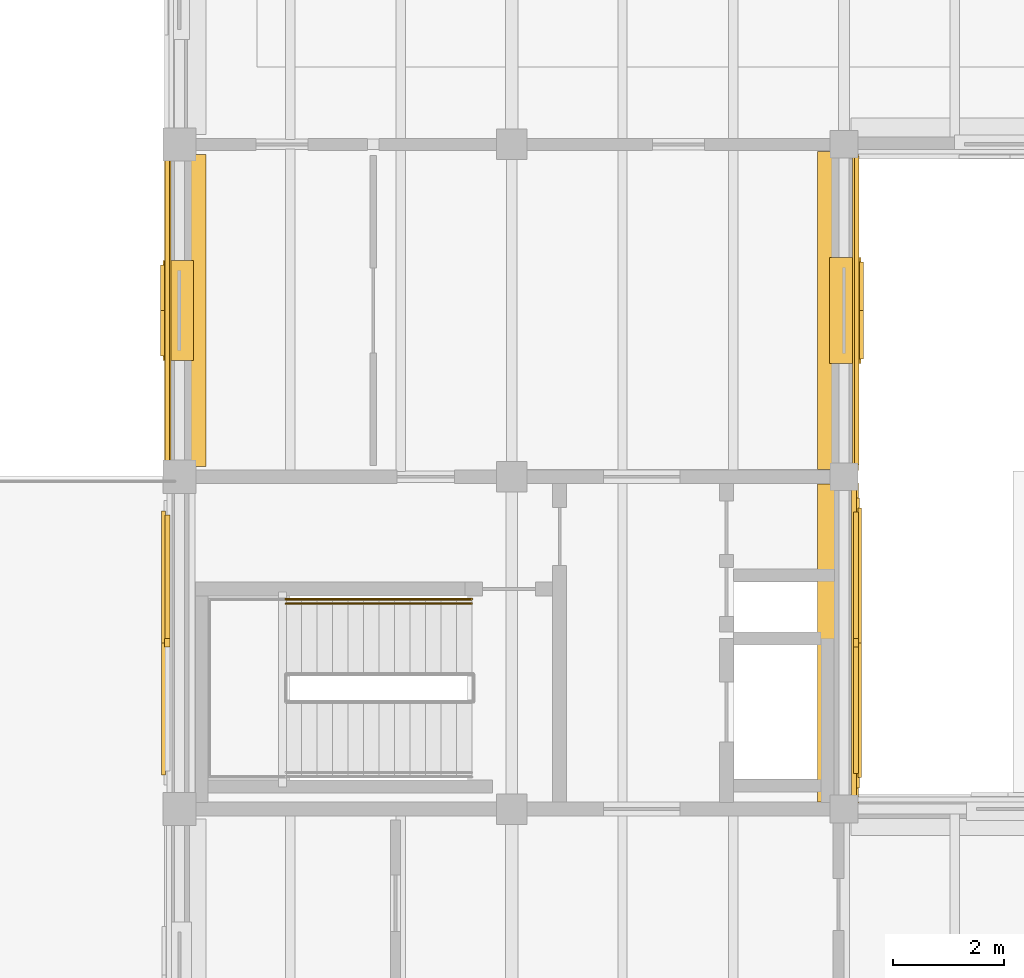
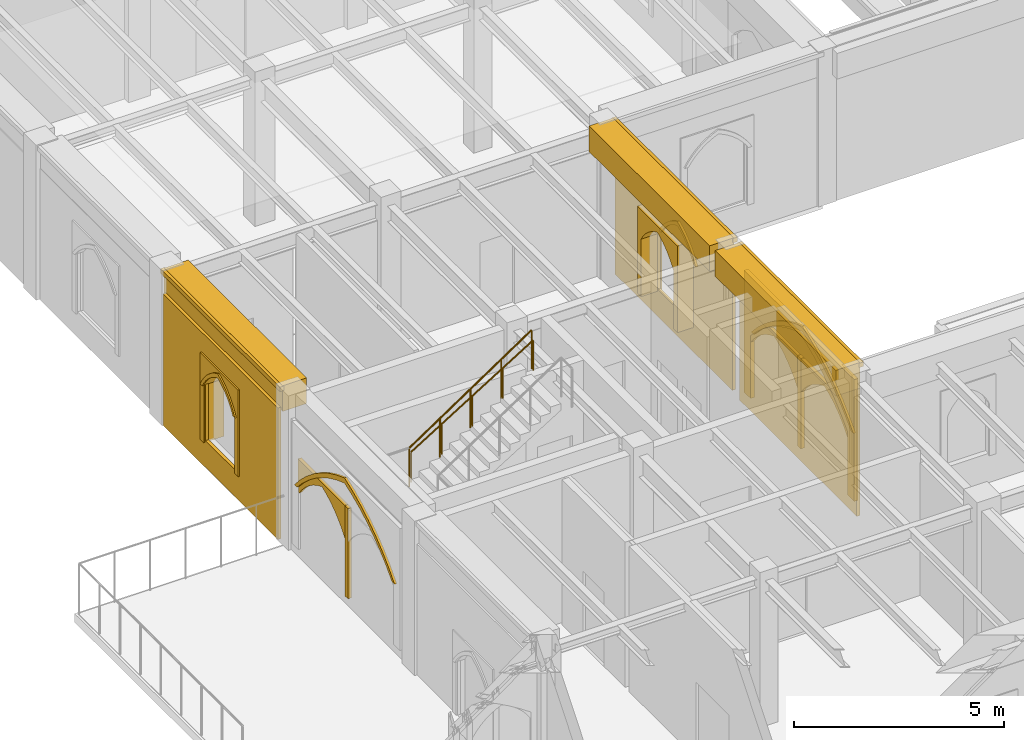
# One storey, part 112 of 127: 21 coverings, 2 railings.
"""IFC4 building model written with IfcOpenShell, lengths in metres."""

from ifc_helpers import new_model, si_unit, direction, frame, origin, origin_2d, place, context, subcontext, project, spatial, polyline, rectangle, circle, outline, extrude, material, type_object, element, save


model = new_model("IFC4")

# Units and contexts
model_context = context("Model", 3, precision=1e-05, world=origin(), true_north=direction((0.0, 1.0)))
body_context = subcontext(model_context, "Body", "Model", "MODEL_VIEW")
ifc_project = project(units=[si_unit("LENGTHUNIT", "METRE"), si_unit("AREAUNIT", "SQUARE_METRE"), si_unit("VOLUMEUNIT", "CUBIC_METRE"), si_unit("PLANEANGLEUNIT", "RADIAN"), si_unit("MASSUNIT", "GRAM", prefix="KILO")], contexts=[model_context])

# Site, building, storey
site_placement = place(None, origin())
site = spatial("IfcSite", under=ifc_project, at=site_placement, CompositionType="ELEMENT")
building_placement = place(site_placement, origin())
building = spatial("IfcBuilding", under=site, at=building_placement, Name="Cumevento Cable Car Station", CompositionType="ELEMENT")
storey_placement = place(building_placement, frame((0.0, 0.0, 4.5)))
storey = spatial("IfcBuildingStorey", under=building, at=storey_placement, Name="L02", CompositionType="ELEMENT", Elevation=4.5)

# Railings
ifc_material_1 = material(Name="Painted Galvanised Architectural Steel", Category="steel")
railing_type_1 = type_object("IfcRailingType", Name="Stair Guardrail GR-S115", PredefinedType="GUARDRAIL", material=ifc_material_1)
railing_1_placement = place(storey_placement, frame((119.919921875, 24.7900390625, 2.25)))
element("IfcRailing", 1, at=railing_1_placement, inside=storey, type_object=railing_type_1, Name="Stair Outer Guardrail ST-05-L02 F2", PredefinedType="GUARDRAIL", context=body_context, shape_type="SweptSolid", body=[
    extrude(circle(Radius=0.02392578125, at=origin_2d()), frame((0.0, 0.0, 1.1259765625), z_axis=(0.830915400975, 0.0, 0.556398774641), x_axis=(0.0, 1.0, 0.0)), (0.0, 0.0, 1.0), 4.0439453125),
    extrude(circle(Radius=0.02001953125, at=origin_2d()), origin(), (0.0, 0.0, 1.0), 1.101806640625),
    extrude(circle(Radius=0.02001953125, at=origin_2d()), frame((0.840087890625, 0.0, 0.5625)), (0.0, 0.0, 1.0), 1.101806640625),
    extrude(circle(Radius=0.02001953125, at=origin_2d()), frame((1.68017578125, 0.0, 1.125)), (0.0, 0.0, 1.0), 1.101806640625),
    extrude(circle(Radius=0.02001953125, at=origin_2d()), frame((2.52001953125, 0.0, 1.6875)), (0.0, 0.0, 1.0), 1.101806640625),
    extrude(circle(Radius=0.02001953125, at=origin_2d()), frame((3.360107421875, 0.0, 2.25)), (0.0, 0.0, 1.0), 1.101806640625),
])
ifc_material_2 = material(Name="Brushed Stainless Steel Handrail Tube", Category="steel")
railing_type_2 = type_object("IfcRailingType", Name="Stair Handrail HR-090", PredefinedType="HANDRAIL", material=ifc_material_2)
railing_2_placement = place(storey_placement, frame((119.919921875, 24.7099609375, 2.42626953125)))
element("IfcRailing", 2, at=railing_2_placement, inside=storey, type_object=railing_type_2, Name="Stair Pitch Handrail ST-05-L02 F2", PredefinedType="HANDRAIL", context=body_context, shape_type="SweptSolid", body=[
    extrude(circle(Radius=0.02099609375, at=origin_2d()), frame((0.0, 0.0, 0.87890625), z_axis=(0.850623216509, 0.0, 0.525775754039), x_axis=(0.0, 1.0, 0.0)), (0.0, 0.0, 1.0), 3.9501953125),
    extrude(circle(Radius=0.01611328125, at=origin_2d()), origin(), (0.0, 0.0, 1.0), 0.85791015625),
    extrude(circle(Radius=0.01611328125, at=origin_2d()), frame((0.840087890625, 0.0, 0.519287109375)), (0.0, 0.0, 1.0), 0.85791015625),
    extrude(circle(Radius=0.01611328125, at=origin_2d()), frame((1.68017578125, 0.0, 1.03857421875)), (0.0, 0.0, 1.0), 0.85791015625),
    extrude(circle(Radius=0.01611328125, at=origin_2d()), frame((2.52001953125, 0.0, 1.5576171875)), (0.0, 0.0, 1.0), 0.85791015625),
    extrude(circle(Radius=0.01611328125, at=origin_2d()), frame((3.360107421875, 0.0, 2.076904296875)), (0.0, 0.0, 1.0), 0.85791015625),
])

# Coverings
ifc_material_3 = material(Name="Gnaisse Facoidal Stone Ashlar 85 MPa", Category="masonry")
covering_type = type_object("IfcCoveringType", Name="Gnaisse Ashlar Cladding CV-CL01", PredefinedType="CLADDING", material=ifc_material_3)
covering_1_placement = place(storey_placement, frame((129.85009765625, 24.0, 3.737060546875), z_axis=(0.0, 0.0, 1.0), x_axis=(0.0, -1.0, 0.0)))
element("IfcCovering", 3, at=covering_1_placement, inside=storey, type_object=covering_type, Name="Gothic Stone Spandrel Stringcourse sc:0446", PredefinedType="CLADDING", context=body_context, shape_type="SweptSolid", body=[
    extrude(rectangle(XDim=5.739990234375, YDim=0.659912109375, at=origin_2d()), origin(), (0.0, 0.0, 1.0), 0.7470703125),
])
covering_2_placement = place(storey_placement, frame((130.20751953125, 24.0, 4.35400390625), z_axis=(0.0, 0.0, 1.0), x_axis=(0.0, -1.0, 0.0)))
element("IfcCovering", 4, at=covering_2_placement, inside=storey, type_object=covering_type, Name="Gothic Cornice Dripstone Lip sc:0446", PredefinedType="CLADDING", context=body_context, shape_type="SweptSolid", body=[
    extrude(rectangle(XDim=5.780029296875, YDim=0.114990234375, at=origin_2d()), origin(), (0.0, 0.0, 1.0), 0.1298828125),
])
covering_3_placement = place(storey_placement, frame((118.14990234375, 30.0, 3.718017578125), z_axis=(0.0, 0.0, 1.0), x_axis=(0.0, 1.0, 0.0)))
element("IfcCovering", 5, at=covering_3_placement, inside=storey, type_object=covering_type, Name="Gothic Stone Spandrel Stringcourse sc:0447", PredefinedType="CLADDING", context=body_context, shape_type="SweptSolid", body=[
    extrude(rectangle(XDim=5.639892578125, YDim=0.659912109375, at=origin_2d()), origin(), (0.0, 0.0, 1.0), 0.7470703125),
])
covering_4_placement = place(storey_placement, frame((117.79248046875, 30.0, 4.3349609375), z_axis=(0.0, 0.0, 1.0), x_axis=(0.0, 1.0, 0.0)))
element("IfcCovering", 6, at=covering_4_placement, inside=storey, type_object=covering_type, Name="Gothic Cornice Dripstone Lip sc:0447", PredefinedType="CLADDING", context=body_context, shape_type="SweptSolid", body=[
    extrude(rectangle(XDim=5.679931640625, YDim=0.114990234375, at=origin_2d()), origin(), (0.0, 0.0, 1.0), 0.1298828125),
])
covering_5_placement = place(storey_placement, frame((129.85009765625, 30.0, 3.718017578125), z_axis=(0.0, 0.0, 1.0), x_axis=(0.0, -1.0, 0.0)))
element("IfcCovering", 7, at=covering_5_placement, inside=storey, type_object=covering_type, Name="Gothic Stone Spandrel Stringcourse sc:0448", PredefinedType="CLADDING", context=body_context, shape_type="SweptSolid", body=[
    extrude(rectangle(XDim=5.739990234375, YDim=0.659912109375, at=origin_2d()), origin(), (0.0, 0.0, 1.0), 0.7470703125),
])
covering_6_placement = place(storey_placement, frame((130.20751953125, 30.0, 4.3349609375), z_axis=(0.0, 0.0, 1.0), x_axis=(0.0, -1.0, 0.0)))
element("IfcCovering", 8, at=covering_6_placement, inside=storey, type_object=covering_type, Name="Gothic Cornice Dripstone Lip sc:0448", PredefinedType="CLADDING", context=body_context, shape_type="SweptSolid", body=[
    extrude(rectangle(XDim=5.780029296875, YDim=0.114990234375, at=origin_2d()), origin(), (0.0, 0.0, 1.0), 0.1298828125),
])
covering_7_placement = place(storey_placement, frame((118.0, 21.47998046875, 2.126220703125), z_axis=(0.0, 0.0, 1.0), x_axis=(0.0, 1.0, 0.0)))
element("IfcCovering", 9, at=covering_7_placement, inside=storey, type_object=covering_type, Name="Gothic Pointed Archivolt Hood Moulding blind_ogival:0209", PredefinedType="CLADDING", context=body_context, shape_type="SweptSolid", body=[
    extrude(outline(polyline([(0.260009765625, 0.0), (0.529052734375, 0.2841796875), (0.81884765625, 0.547119140625), (1.128173828125, 0.786865234375), (1.454833984375, 1.00244140625), (1.797119140625, 1.192138671875), (2.15283203125, 1.355224609375), (2.52001953125, 1.49072265625), (2.88720703125, 1.355224609375), (3.242919921875, 1.192138671875), (3.585205078125, 1.00244140625), (3.911865234375, 0.786865234375), (4.22119140625, 0.547119140625), (4.510986328125, 0.2841796875), (4.780029296875, 0.0), (4.90087890625, 0.0), (4.622314453125, 0.31201171875), (4.319580078125, 0.60107421875), (3.9951171875, 0.865234375), (3.650634765625, 1.102783203125), (3.28857421875, 1.312255859375), (2.910888671875, 1.492431640625), (2.52001953125, 1.641845703125), (2.129150390625, 1.492431640625), (1.75146484375, 1.312255859375), (1.389404296875, 1.102783203125), (1.044921875, 0.865234375), (0.720458984375, 0.60107421875), (0.417724609375, 0.31201171875), (0.138916015625, 0.0), (0.260009765625, 0.0)])), frame((0.0, 0.319580078125, 0.0), z_axis=(0.0, -1.0, 0.0), x_axis=(1.0, 0.0, 0.0)), (0.0, 0.0, 1.0), 0.06689453125),
])
covering_8_placement = place(storey_placement, frame((118.0, 21.47998046875, 0.300048828125), z_axis=(0.0, 0.0, 1.0), x_axis=(0.0, 1.0, 0.0)))
element("IfcCovering", 10, at=covering_8_placement, inside=storey, type_object=covering_type, Name="Gothic Bifora Stone Colonnette blind_ogival:0209 #1", PredefinedType="CLADDING", context=body_context, shape_type="SweptSolid", body=[
    extrude(outline(polyline([(2.445068359375, -0.02001953125), (2.594970703125, -0.02001953125), (2.594970703125, 2.6015625), (2.445068359375, 2.6015625), (2.445068359375, -0.02001953125)])), frame((0.0, 0.265380859375, 0.0), z_axis=(0.0, -1.0, 0.0), x_axis=(1.0, 0.0, 0.0)), (0.0, 0.0, 1.0), 0.094970703125),
])
covering_9_placement = place(storey_placement, frame((118.0, 24.044921875, 1.9462890625), z_axis=(0.0, 0.0, 1.0), x_axis=(0.0, 1.0, 0.0)))
element("IfcCovering", 11, at=covering_9_placement, inside=storey, type_object=covering_type, Name="Gothic Ogival Pointed-Arch Stone Spandrel blind_ogival:0209:sub:1", PredefinedType="CLADDING", context=body_context, shape_type="SweptSolid", body=[
    extrude(outline(polyline([(-0.02001953125, 0.0), (-0.02001953125, 0.955078125), (2.264892578125, 0.955078125), (2.264892578125, 0.0), (2.205078125, 0.0), (2.06298828125, 0.182373046875), (1.9033203125, 0.349609375), (1.7275390625, 0.5), (1.537353515625, 0.6318359375), (1.335205078125, 0.743896484375), (1.12255859375, 0.835205078125), (0.909912109375, 0.743896484375), (0.707763671875, 0.6318359375), (0.517578125, 0.5), (0.341796875, 0.349609375), (0.18212890625, 0.182373046875), (0.0400390625, 0.0), (-0.02001953125, 0.0)])), frame((0.0, 0.261474609375, 0.0), z_axis=(0.0, -1.0, 0.0), x_axis=(1.0, 0.0, 0.0)), (0.0, 0.0, 1.0), 0.090087890625),
])
covering_10_placement = place(storey_placement, frame((130.0, 26.75, 0.0), z_axis=(0.0, 0.0, 1.0), x_axis=(0.0, -1.0, 0.0)))
element("IfcCovering", 12, at=covering_10_placement, inside=storey, type_object=covering_type, Name="Exterior Gnaisse Stone Wall Ashlar #210", PredefinedType="CLADDING", context=body_context, shape_type="SweptSolid", body=[
    extrude(outline(polyline([(-0.0400390625, -0.02001953125), (5.5400390625, -0.02001953125), (5.5400390625, 3.81689453125), (-0.0400390625, 3.81689453125), (-0.0400390625, -0.02001953125)])), frame((0.0, 0.222412109375, 0.0), z_axis=(0.0, -1.0, 0.0), x_axis=(1.0, 0.0, 0.0)), (0.0, 0.0, 1.0), 0.0849609375),
])
placement = place(storey_placement, frame((130.0, 26.570068359375, 0.300048828125), z_axis=(0.0, 0.0, 1.0), x_axis=(0.0, -1.0, 0.0)))
element("IfcCovering", 13, at=placement, inside=storey, type_object=covering_type, Name="Gothic Ogival Pointed-Arch Stone Spandrel blind_ogival:0210", PredefinedType="CLADDING", context=body_context, shape_type="SweptSolid", body=[
    extrude(outline(polyline([(-0.050048828125, 0.0), (-0.050048828125, 3.537109375), (5.18994140625, 3.537109375), (5.18994140625, 0.0), (4.8798828125, 0.0), (4.8798828125, 1.826416015625), (4.602783203125, 2.111083984375), (4.30517578125, 2.374267578125), (3.988525390625, 2.614013671875), (3.65478515625, 2.8291015625), (3.3056640625, 3.018798828125), (2.943359375, 3.181884765625), (2.570068359375, 3.31689453125), (2.196533203125, 3.181884765625), (1.834228515625, 3.018798828125), (1.485107421875, 2.8291015625), (1.1513671875, 2.614013671875), (0.834716796875, 2.374267578125), (0.537109375, 2.111083984375), (0.260009765625, 1.826416015625), (0.260009765625, 0.0), (-0.050048828125, 0.0)])), frame((0.0, 0.277587890625, 0.0), z_axis=(0.0, -1.0, 0.0), x_axis=(1.0, 0.0, 0.0)), (0.0, 0.0, 1.0), 0.110107421875),
])
covering_12_placement = place(storey_placement, frame((130.0, 26.570068359375, 2.126220703125), z_axis=(0.0, 0.0, 1.0), x_axis=(0.0, -1.0, 0.0)))
element("IfcCovering", 14, at=covering_12_placement, inside=storey, type_object=covering_type, Name="Gothic Pointed Archivolt Hood Moulding blind_ogival:0210", PredefinedType="CLADDING", context=body_context, shape_type="SweptSolid", body=[
    extrude(outline(polyline([(0.260009765625, 0.0), (0.537109375, 0.28466796875), (0.834716796875, 0.5478515625), (1.1513671875, 0.78759765625), (1.485107421875, 1.0029296875), (1.834228515625, 1.192626953125), (2.196533203125, 1.35546875), (2.570068359375, 1.49072265625), (2.943359375, 1.35546875), (3.3056640625, 1.192626953125), (3.65478515625, 1.0029296875), (3.988525390625, 0.78759765625), (4.30517578125, 0.5478515625), (4.602783203125, 0.28466796875), (4.8798828125, 0.0), (5.0009765625, 0.0), (4.714111328125, 0.3125), (4.40380859375, 0.601806640625), (4.07177734375, 0.865966796875), (3.72021484375, 1.103271484375), (3.35107421875, 1.312744140625), (2.967041015625, 1.49267578125), (2.570068359375, 1.641845703125), (2.1728515625, 1.49267578125), (1.788818359375, 1.312744140625), (1.419677734375, 1.103271484375), (1.068115234375, 0.865966796875), (0.736083984375, 0.601806640625), (0.42578125, 0.3125), (0.138916015625, 0.0), (0.260009765625, 0.0)])), frame((0.0, 0.319580078125, 0.0), z_axis=(0.0, -1.0, 0.0), x_axis=(1.0, 0.0, 0.0)), (0.0, 0.0, 1.0), 0.06689453125),
])
element("IfcCovering", 15, at=placement, inside=storey, type_object=covering_type, Name="Gothic Bifora Stone Colonnette blind_ogival:0210 #1", PredefinedType="CLADDING", context=body_context, shape_type="SweptSolid", body=[
    extrude(outline(polyline([(2.4951171875, -0.02001953125), (2.64501953125, -0.02001953125), (2.64501953125, 2.6015625), (2.4951171875, 2.6015625), (2.4951171875, -0.02001953125)])), frame((0.0, 0.265380859375, 0.0), z_axis=(0.0, -1.0, 0.0), x_axis=(1.0, 0.0, 0.0)), (0.0, 0.0, 1.0), 0.094970703125),
])
for number, where, z_axis, x_axis, name in (
    (16, (130.0, 26.340087890625, 1.9462890625), (0.0, 0.0, 1.0), (0.0, -1.0, 0.0), "Gothic Ogival Pointed-Arch Stone Spandrel blind_ogival:0210:sub:0"),
    (17, (130.0, 23.955078125, 1.9462890625), (0.0, 0.0, 1.0), (0.0, -1.0, 0.0), "Gothic Ogival Pointed-Arch Stone Spandrel blind_ogival:0210:sub:1"),
):
    element("IfcCovering", number, at=place(storey_placement, frame(where, z_axis=z_axis, x_axis=x_axis)), inside=storey, type_object=covering_type, Name=name, PredefinedType="CLADDING", context=body_context, shape_type="SweptSolid", body=[
        extrude(outline(polyline([(-0.02001953125, 0.0), (-0.02001953125, 0.955078125), (2.31494140625, 0.955078125), (2.31494140625, 0.0), (2.2548828125, 0.0), (2.10791015625, 0.182861328125), (1.943603515625, 0.35009765625), (1.763671875, 0.50048828125), (1.569580078125, 0.63232421875), (1.363525390625, 0.744140625), (1.1474609375, 0.835205078125), (0.931396484375, 0.744140625), (0.725341796875, 0.63232421875), (0.53125, 0.50048828125), (0.351318359375, 0.35009765625), (0.18701171875, 0.182861328125), (0.0400390625, 0.0), (-0.02001953125, 0.0)])), frame((0.0, 0.261474609375, 0.0), z_axis=(0.0, -1.0, 0.0), x_axis=(1.0, 0.0, 0.0)), (0.0, 0.0, 1.0), 0.090087890625),
    ])
covering_14_placement = place(storey_placement, frame((118.0, 27.300048828125, 0.0), z_axis=(0.0, 0.0, 1.0), x_axis=(0.0, 1.0, 0.0)))
element("IfcCovering", 18, at=covering_14_placement, inside=storey, type_object=covering_type, Name="Exterior Gnaisse Stone Wall Ashlar #211", PredefinedType="CLADDING", context=body_context, shape_type="SweptSolid", body=[
    extrude(outline(polyline([(-0.0400390625, -0.02001953125), (5.43994140625, -0.02001953125), (5.43994140625, 3.798095703125), (-0.0400390625, 3.798095703125), (-0.0400390625, -0.02001953125)]), holes=[polyline([(1.985107421875, 0.760009765625), (3.4150390625, 0.760009765625), (3.4150390625, 2.989990234375), (1.985107421875, 2.989990234375), (1.985107421875, 0.760009765625)])]), frame((0.0, 0.260009765625, 0.0), z_axis=(0.0, -1.0, 0.0), x_axis=(1.0, 0.0, 0.0)), (0.0, 0.0, 1.0), 0.0849609375),
])
covering_15_placement = place(storey_placement, frame((118.0, 29.135009765625, 0.699951171875), z_axis=(0.0, 0.0, 1.0), x_axis=(0.0, 1.0, 0.0)))
element("IfcCovering", 19, at=covering_15_placement, inside=storey, type_object=covering_type, Name="Gothic Ogival Pointed-Arch Stone Spandrel op_ogival:0211:1", PredefinedType="CLADDING", context=body_context, shape_type="SweptSolid", body=[
    extrude(outline(polyline([(-0.0400390625, 0.0), (-0.0400390625, 2.52001953125), (1.77001953125, 2.52001953125), (1.77001953125, 0.0), (1.590087890625, 0.0), (1.590087890625, 1.669921875), (1.517333984375, 1.7939453125), (1.4326171875, 1.91015625), (1.337158203125, 2.017578125), (1.2314453125, 2.115234375), (1.116943359375, 2.201904296875), (0.994384765625, 2.277099609375), (0.864990234375, 2.33984375), (0.735595703125, 2.277099609375), (0.613037109375, 2.201904296875), (0.49853515625, 2.115234375), (0.392822265625, 2.017578125), (0.29736328125, 1.91015625), (0.212646484375, 1.7939453125), (0.139892578125, 1.669921875), (0.139892578125, 0.0), (-0.0400390625, 0.0)])), frame((0.0, 0.298095703125, 0.0), z_axis=(0.0, -1.0, 0.0), x_axis=(1.0, 0.0, 0.0)), (0.0, 0.0, 1.0), 0.550048828125),
])
covering_16_placement = place(storey_placement, frame((118.0, 29.135009765625, 2.3701171875), z_axis=(0.0, 0.0, 1.0), x_axis=(0.0, 1.0, 0.0)))
element("IfcCovering", 20, at=covering_16_placement, inside=storey, type_object=covering_type, Name="Gothic Pointed Archivolt Hood Moulding op_ogival:0211:1", PredefinedType="CLADDING", context=body_context, shape_type="SweptSolid", body=[
    extrude(outline(polyline([(0.139892578125, 0.0), (0.212646484375, 0.1240234375), (0.29736328125, 0.240234375), (0.392822265625, 0.34765625), (0.49853515625, 0.4453125), (0.613037109375, 0.531982421875), (0.735595703125, 0.607177734375), (0.864990234375, 0.669921875), (0.994384765625, 0.607177734375), (1.116943359375, 0.531982421875), (1.2314453125, 0.4453125), (1.337158203125, 0.34765625), (1.4326171875, 0.240234375), (1.517333984375, 0.1240234375), (1.590087890625, 0.0), (1.68896484375, 0.0), (1.608642578125, 0.146240234375), (1.51416015625, 0.28369140625), (1.40625, 0.410888671875), (1.2861328125, 0.526611328125), (1.155029296875, 0.629638671875), (1.01416015625, 0.718994140625), (0.864990234375, 0.793701171875), (0.7158203125, 0.718994140625), (0.574951171875, 0.629638671875), (0.44384765625, 0.526611328125), (0.32373046875, 0.410888671875), (0.2158203125, 0.28369140625), (0.121337890625, 0.146240234375), (0.041015625, 0.0), (0.139892578125, 0.0)])), frame((0.0, 0.340087890625, 0.0), z_axis=(0.0, -1.0, 0.0), x_axis=(1.0, 0.0, 0.0)), (0.0, 0.0, 1.0), 0.06689453125),
])
covering_17_placement = place(storey_placement, frame((130.0, 32.75, 0.0), z_axis=(0.0, 0.0, 1.0), x_axis=(0.0, -1.0, 0.0)))
element("IfcCovering", 21, at=covering_17_placement, inside=storey, type_object=covering_type, Name="Exterior Gnaisse Stone Wall Ashlar #212", PredefinedType="CLADDING", context=body_context, shape_type="SweptSolid", body=[
    extrude(outline(polyline([(-0.0400390625, -0.02001953125), (5.5400390625, -0.02001953125), (5.5400390625, 3.798095703125), (-0.0400390625, 3.798095703125), (-0.0400390625, -0.02001953125)]), holes=[polyline([(1.985107421875, 0.760009765625), (3.514892578125, 0.760009765625), (3.514892578125, 2.989990234375), (1.985107421875, 2.989990234375), (1.985107421875, 0.760009765625)])]), frame((0.0, 0.27001953125, 0.0), z_axis=(0.0, -1.0, 0.0), x_axis=(1.0, 0.0, 0.0)), (0.0, 0.0, 1.0), 0.0849609375),
])
covering_18_placement = place(storey_placement, frame((130.0, 30.9150390625, 0.699951171875), z_axis=(0.0, 0.0, 1.0), x_axis=(0.0, -1.0, 0.0)))
element("IfcCovering", 22, at=covering_18_placement, inside=storey, type_object=covering_type, Name="Gothic Ogival Pointed-Arch Stone Spandrel op_ogival:0212:1", PredefinedType="CLADDING", context=body_context, shape_type="SweptSolid", body=[
    extrude(outline(polyline([(-0.0400390625, 0.0), (-0.0400390625, 2.52001953125), (1.8701171875, 2.52001953125), (1.8701171875, 0.0), (1.68994140625, 0.0), (1.68994140625, 1.669921875), (1.60888671875, 1.794921875), (1.516357421875, 1.91162109375), (1.4130859375, 2.01904296875), (1.300537109375, 2.116455078125), (1.17919921875, 2.202880859375), (1.05029296875, 2.277587890625), (0.9150390625, 2.33984375), (0.77978515625, 2.277587890625), (0.65087890625, 2.202880859375), (0.529541015625, 2.116455078125), (0.4169921875, 2.01904296875), (0.313720703125, 1.91162109375), (0.22119140625, 1.794921875), (0.139892578125, 1.669921875), (0.139892578125, 0.0), (-0.0400390625, 0.0)])), frame((0.0, 0.30810546875, 0.0), z_axis=(0.0, -1.0, 0.0), x_axis=(1.0, 0.0, 0.0)), (0.0, 0.0, 1.0), 0.570068359375),
])
covering_19_placement = place(storey_placement, frame((130.0, 30.9150390625, 2.3701171875), z_axis=(0.0, 0.0, 1.0), x_axis=(0.0, -1.0, 0.0)))
element("IfcCovering", 23, at=covering_19_placement, inside=storey, type_object=covering_type, Name="Gothic Pointed Archivolt Hood Moulding op_ogival:0212:1", PredefinedType="CLADDING", context=body_context, shape_type="SweptSolid", body=[
    extrude(outline(polyline([(0.139892578125, 0.0), (0.22119140625, 0.124755859375), (0.313720703125, 0.241455078125), (0.4169921875, 0.34912109375), (0.529541015625, 0.446533203125), (0.65087890625, 0.532958984375), (0.77978515625, 0.607666015625), (0.9150390625, 0.669921875), (1.05029296875, 0.607666015625), (1.17919921875, 0.532958984375), (1.300537109375, 0.446533203125), (1.4130859375, 0.34912109375), (1.516357421875, 0.241455078125), (1.60888671875, 0.124755859375), (1.68994140625, 0.0), (1.7890625, 0.0), (1.7001953125, 0.147216796875), (1.59765625, 0.28515625), (1.482177734375, 0.412353515625), (1.35498046875, 0.52783203125), (1.21728515625, 0.630615234375), (1.070068359375, 0.719482421875), (0.9150390625, 0.793701171875), (0.760009765625, 0.719482421875), (0.61279296875, 0.630615234375), (0.47509765625, 0.52783203125), (0.347900390625, 0.412353515625), (0.232421875, 0.28515625), (0.1298828125, 0.147216796875), (0.041015625, 0.0), (0.139892578125, 0.0)])), frame((0.0, 0.35009765625, 0.0), z_axis=(0.0, -1.0, 0.0), x_axis=(1.0, 0.0, 0.0)), (0.0, 0.0, 1.0), 0.06689453125),
])

save(model, "model.ifc")
